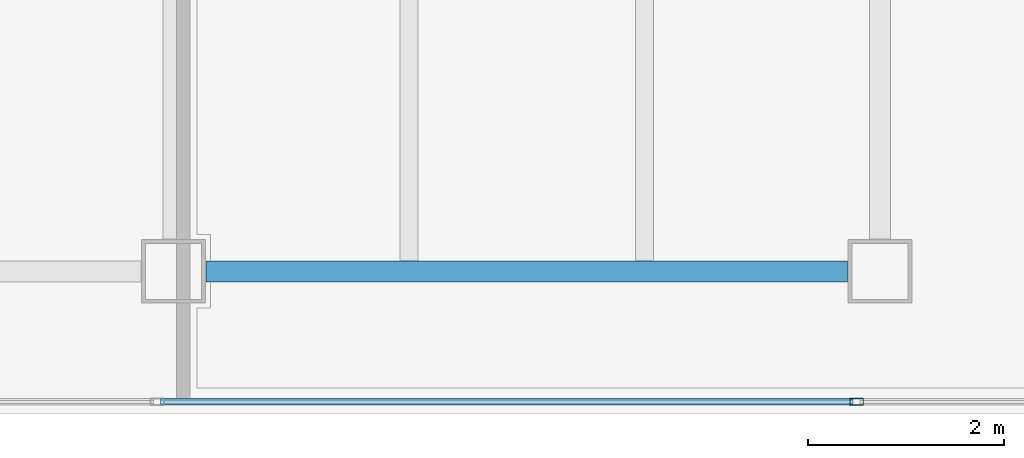
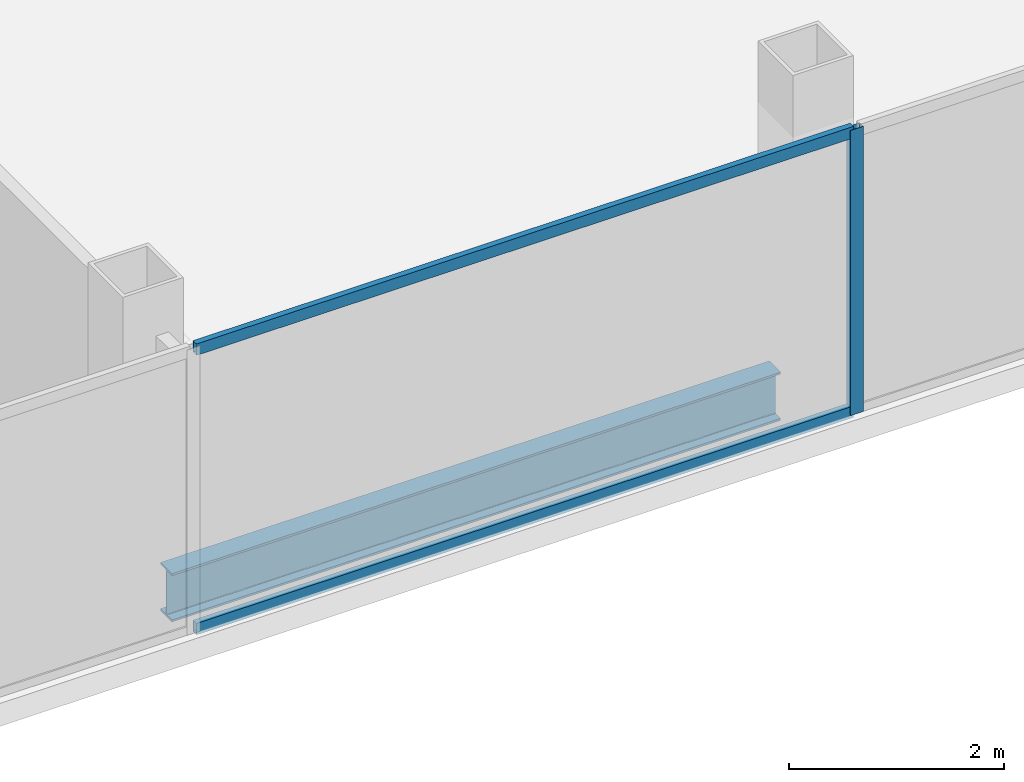
# One storey, part 12 of 23: 3 members, 1 beam, 1 element without a shape of its own.
"""IFC4 building model written with IfcOpenShell, lengths in metres."""

from ifc_helpers import new_model, si_unit, direction, frame, origin, origin_2d, place, context, subcontext, project, spatial, hollow_rectangle, i_section, extrude, material, material_profile, profile_set, type_object, element, aggregate, save


model = new_model("IFC4")

# Units and contexts
model_context = context("Model", 3, precision=1e-05, world=origin(), true_north=direction((0.0, 1.0)))
body_context = subcontext(model_context, "Body", "Model", "MODEL_VIEW")
ifc_project = project(units=[si_unit("LENGTHUNIT", "METRE"), si_unit("AREAUNIT", "SQUARE_METRE"), si_unit("VOLUMEUNIT", "CUBIC_METRE"), si_unit("PLANEANGLEUNIT", "RADIAN"), si_unit("MASSUNIT", "GRAM", prefix="KILO")], contexts=[model_context])

# Site, building, storey
site_placement = place(None, origin())
site = spatial("IfcSite", under=ifc_project, at=site_placement, CompositionType="ELEMENT")
building_placement = place(site_placement, origin())
building = spatial("IfcBuilding", under=site, at=building_placement, Name="Cobrela Telecom Tower", CompositionType="ELEMENT")
storey_placement = place(building_placement, frame((0.0, 0.0, 262.14990234375)))
storey = spatial("IfcBuildingStorey", under=building, at=storey_placement, Name="L68", CompositionType="ELEMENT", Elevation=262.14990234375)

# Beam
ifc_material_1 = material(Name="Steel ASTM A992 Grade 50", Category="steel")
ifc_material_profile_1 = material_profile(ifc_material_1, i_section(OverallWidth=0.212890625, OverallDepth=0.549072265625, WebThickness=0.0146484375, FlangeThickness=0.023681640625, FilletRadius=0.013916015625, at=origin_2d()), Name="W21X93")
ifc_profile_set_1 = profile_set([ifc_material_profile_1], Name="Steel ASTM A992 Grade 50")
beam_type = type_object("IfcBeamType", Name="BM-GIRD-08", PredefinedType="USERDEFINED", material=ifc_profile_set_1)
beam_placement = place(storey_placement, frame((29.1298828125, 7.85009765625, -0.534423828125), z_axis=(1.0, 0.0, 0.0), x_axis=(0.0, 1.0, 0.0)))
element("IfcBeam", 1, at=beam_placement, inside=storey, type_object=beam_type, Name="L68 Primary Girder X04", ObjectType="GIRDER", PredefinedType="USERDEFINED", context=body_context, shape_type="SweptSolid", body=[
    extrude(i_section(OverallWidth=0.212890625, OverallDepth=0.549072265625, WebThickness=0.0146484375, FlangeThickness=0.023681640625, FilletRadius=0.013916015625, at=origin_2d()), origin(), (0.0, 0.0, 1.0), 6.5400390625),
])

# Curtain wall, members
ifc_material_2 = material(Name="Anodized Bronze Aluminium 6063-T6", Category="aluminium")
curtain_wall_type = type_object("IfcCurtainWallType", Name="CW-SYS-OFF-HI", PredefinedType="USERDEFINED", material=ifc_material_2)
curtain_wall_placement = place(storey_placement, origin())
curtain_wall = element("IfcCurtainWall", 2, at=curtain_wall_placement, inside=storey, type_object=curtain_wall_type, Name="L68 Unitised Bronze Curtain Wall 15", ObjectType="UNITISED CURTAIN WALL", PredefinedType="USERDEFINED")
ifc_material_profile_2 = material_profile(ifc_material_2, hollow_rectangle(XDim=0.070068359375, YDim=0.139892578125, WallThickness=0.00390625, at=origin_2d()), Name="ALU 70x140x4")
ifc_profile_set_2 = profile_set([ifc_material_profile_2], Name="Anodized Bronze Aluminium 6063-T6")
member_type_1 = type_object("IfcMemberType", Name="CW-SYS-OFF-HI-MUL", PredefinedType="MULLION", material=ifc_profile_set_2)
member_1_placement = place(storey_placement, frame((35.76171875, 6.52001953125, 0.0), z_axis=(0.0, 0.0, 1.0), x_axis=(0.0, -1.0, 0.0)))
member_1 = element("IfcMember", 3, at=member_1_placement, type_object=member_type_1, Name="CW-OFF-HI mullion 2", PredefinedType="MULLION", context=body_context, shape_type="SweptSolid", body=[
    extrude(hollow_rectangle(XDim=0.070068359375, YDim=0.139892578125, WallThickness=0.00390625, at=origin_2d()), origin(), (0.0, 0.0, 1.0), 3.239990234375),
])
ifc_material_profile_3 = material_profile(ifc_material_2, hollow_rectangle(XDim=0.06494140625, YDim=0.1298828125, WallThickness=0.00390625, at=origin_2d()), Name="ALU 65x130x4")
ifc_profile_set_3 = profile_set([ifc_material_profile_3], Name="Anodized Bronze Aluminium 6063-T6")
member_type_2 = type_object("IfcMemberType", Name="CW-SYS-OFF-HI-TRN", PredefinedType="USERDEFINED", material=ifc_profile_set_3)
member_2_placement = place(storey_placement, frame((35.7265625, 6.52001953125, 0.03271484375), z_axis=(-1.0, 0.0, 0.0), x_axis=(0.0, -1.0, 0.0)))
member_2 = element("IfcMember", 4, at=member_2_placement, type_object=member_type_2, Name="CW-OFF-HI transom 2.1", ObjectType="TRANSOM", PredefinedType="USERDEFINED", context=body_context, shape_type="SweptSolid", body=[
    extrude(hollow_rectangle(XDim=0.06494140625, YDim=0.1298828125, WallThickness=0.00390625, at=origin_2d()), origin(), (0.0, 0.0, 1.0), 7.058349609375),
])
member_3_placement = place(storey_placement, frame((35.7265625, 6.52001953125, 3.20751953125), z_axis=(-1.0, 0.0, 0.0), x_axis=(0.0, -1.0, 0.0)))
member_3 = element("IfcMember", 5, at=member_3_placement, type_object=member_type_2, Name="CW-OFF-HI transom 2.2", ObjectType="TRANSOM", PredefinedType="USERDEFINED", context=body_context, shape_type="SweptSolid", body=[
    extrude(hollow_rectangle(XDim=0.06494140625, YDim=0.1298828125, WallThickness=0.00390625, at=origin_2d()), origin(), (0.0, 0.0, 1.0), 7.058349609375),
])
aggregate(curtain_wall, [member_1, member_2, member_3])

save(model, "model.ifc")
